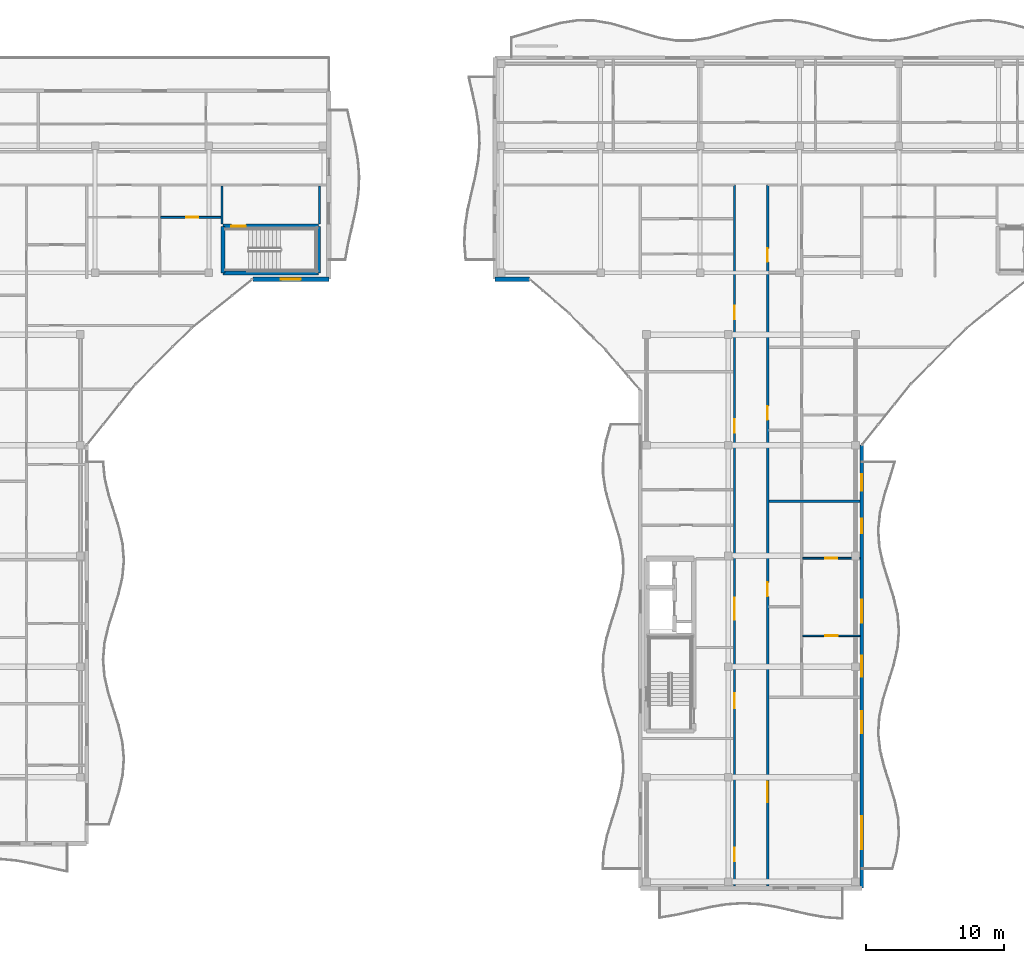
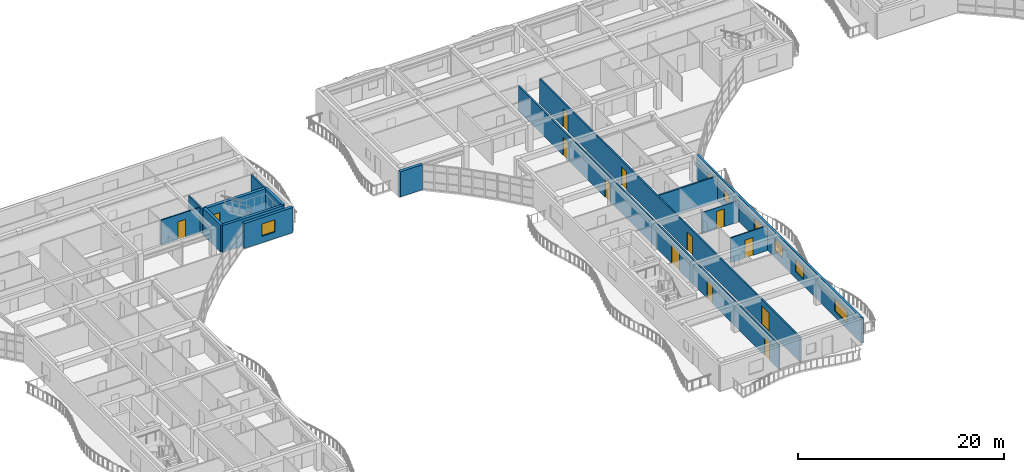
# One storey, part 37 of 68: 15 walls, 14 doors, 6 windows, 20 openings.
"""IFC4 building model written with IfcOpenShell, lengths in metres."""

from ifc_helpers import new_model, si_unit, direction, frame, frame_2d, origin, place, context, subcontext, project, spatial, rectangle, extrude, material, layer, layer_set, type_object, element, fill, save


model = new_model("IFC4")

# Units and contexts
model_context = context("Model", 3, precision=1e-05, world=origin(), true_north=direction((0.0, 1.0)))
body_context = subcontext(model_context, "Body", "Model", "MODEL_VIEW")
ifc_project = project(units=[si_unit("LENGTHUNIT", "METRE"), si_unit("AREAUNIT", "SQUARE_METRE"), si_unit("VOLUMEUNIT", "CUBIC_METRE"), si_unit("PLANEANGLEUNIT", "RADIAN"), si_unit("MASSUNIT", "GRAM", prefix="KILO")], contexts=[model_context])

# Site, building, storey
site_placement = place(None, origin())
site = spatial("IfcSite", under=ifc_project, at=site_placement, CompositionType="ELEMENT")
building_placement = place(site_placement, origin())
building = spatial("IfcBuilding", under=site, at=building_placement, Name="Keldmere Railside Commons", CompositionType="ELEMENT")
storey_placement = place(building_placement, frame((0.0, 0.0, 23.360107421875)))
storey = spatial("IfcBuildingStorey", under=building, at=storey_placement, Name="L07", CompositionType="ELEMENT", Elevation=23.360107421875)

# Wall
ifc_material_1 = material(Name="Acoustic Gypsum Board Partition", Category="gypsum")
ifc_layer_1 = layer(ifc_material_1, 0.179931640625, Name="Acoustic Demising Partition 180")
ifc_layer_set_1 = layer_set([ifc_layer_1], Name="Acoustic Gypsum Board Partition")
wall_type_1 = type_object("IfcWallType", Name="Acoustic Demising Partition 180", PredefinedType="PARTITIONING", material=ifc_layer_set_1)
wall_1_placement = place(storey_placement, frame((113.280029296875, 83.969970703125, 0.0), z_axis=(0.0, 0.0, 1.0), x_axis=(1.0, 0.0, 0.0)))
element("IfcWall", 1, at=wall_1_placement, inside=storey, type_object=wall_type_1, Name="IW-1 IW-L07-1197", PredefinedType="PARTITIONING", context=body_context, shape_type="SweptSolid", body=[
    extrude(rectangle(XDim=6.599853515625, YDim=0.179931640625, at=frame_2d((3.2998046875, 0.0))), origin(), (0.0, 0.0, 1.0), 2.934814453125),
])

# Wall, opening, door
ifc_layer_2 = layer(ifc_material_1, 0.1201171875, Name="Apartment Interior Partition 120")
ifc_layer_set_2 = layer_set([ifc_layer_2], Name="Acoustic Gypsum Board Partition")
wall_type_2 = type_object("IfcWallType", Name="Apartment Interior Partition 120", PredefinedType="PARTITIONING", material=ifc_layer_set_2)
wall_2_placement = place(storey_placement, frame((115.719970703125, 74.22998046875, 0.0), z_axis=(0.0, 0.0, 1.0), x_axis=(1.0, 0.0, 0.0)))
wall_2 = element("IfcWall", 2, at=wall_2_placement, inside=storey, type_object=wall_type_2, Name="IW-4 IW-L07-1201", PredefinedType="PARTITIONING", context=body_context, shape_type="SweptSolid", body=[
    extrude(rectangle(XDim=4.159912109375, YDim=0.1201171875, at=frame_2d((2.080078125, 0.0))), origin(), (0.0, 0.0, 1.0), 2.934814453125),
])
opening_1_placement = place(wall_2_placement, frame((1.6298828125, 0.0, 0.0)))
opening_1 = element("IfcOpeningElement", 3, at=opening_1_placement, cuts=wall_2, Name="Opening ID-01", PredefinedType="OPENING", context=body_context, shape_type="SweptSolid", body=[
    extrude(rectangle(XDim=0.89990234375, YDim=2.10009765625, at=frame_2d((0.449951171875, 1.050048828125))), frame((0.0, 0.070068359375, 0.0), z_axis=(0.0, -1.0, 0.0), x_axis=(1.0, 0.0, 0.0)), (0.0, 0.0, 1.0), 0.14013671875),
])
ifc_material_2 = material(Name="Engineered Oak Timber", Category="wood")
door_type_1 = type_object("IfcDoorType", Name="Primary Bedroom Door 900x2100", OperationType="NOTDEFINED", PredefinedType="DOOR", material=ifc_material_2)
door_1_placement = place(opening_1_placement, origin())
door_1 = element("IfcDoor", 4, at=door_1_placement, inside=storey, type_object=door_type_1, Name="ID-01 IDR-L07-1061", OperationType="SINGLE_SWING_LEFT", OverallHeight=2.10009765625, OverallWidth=0.89990234375, PredefinedType="DOOR", context=body_context, shape_type="SweptSolid", body=[
    extrude(rectangle(XDim=0.89990234375, YDim=2.10009765625, at=frame_2d((0.449951171875, 1.050048828125))), frame((0.0, 0.02490234375, 0.0), z_axis=(0.0, -1.0, 0.0), x_axis=(1.0, 0.0, 0.0)), (0.0, 0.0, 1.0), 0.050048828125),
])
fill(opening_1, door_1)

wall_3_placement = place(storey_placement, frame((115.719970703125, 79.830078125, 0.0), z_axis=(0.0, 0.0, 1.0), x_axis=(1.0, 0.0, 0.0)))
wall_3 = element("IfcWall", 5, at=wall_3_placement, inside=storey, type_object=wall_type_2, Name="IW-4 IW-L07-1202", PredefinedType="PARTITIONING", context=body_context, shape_type="SweptSolid", body=[
    extrude(rectangle(XDim=4.159912109375, YDim=0.1201171875, at=frame_2d((2.080078125, 0.0))), origin(), (0.0, 0.0, 1.0), 2.52978515625),
])
opening_2_placement = place(wall_3_placement, frame((1.639892578125, 0.0, 0.0)))
opening_2 = element("IfcOpeningElement", 6, at=opening_2_placement, cuts=wall_3, Name="Opening ID-02", PredefinedType="OPENING", context=body_context, shape_type="SweptSolid", body=[
    extrude(rectangle(XDim=0.8798828125, YDim=2.10009765625, at=frame_2d((0.43994140625, 1.050048828125))), frame((0.0, 0.070068359375, 0.0), z_axis=(0.0, -1.0, 0.0), x_axis=(1.0, 0.0, 0.0)), (0.0, 0.0, 1.0), 0.14013671875),
])
door_type_2 = type_object("IfcDoorType", Name="Secondary Bedroom Door 880x2100", OperationType="NOTDEFINED", PredefinedType="DOOR", material=ifc_material_2)
door_2_placement = place(opening_2_placement, origin())
door_2 = element("IfcDoor", 7, at=door_2_placement, inside=storey, type_object=door_type_2, Name="ID-02 IDR-L07-1062", OperationType="SINGLE_SWING_RIGHT", OverallHeight=2.10009765625, OverallWidth=0.8798828125, PredefinedType="DOOR", context=body_context, shape_type="SweptSolid", body=[
    extrude(rectangle(XDim=0.8798828125, YDim=2.10009765625, at=frame_2d((0.43994140625, 1.050048828125))), frame((0.0, 0.02490234375, 0.0), z_axis=(0.0, -1.0, 0.0), x_axis=(1.0, 0.0, 0.0)), (0.0, 0.0, 1.0), 0.050048828125),
])
fill(opening_2, door_2)

# Wall, openings, doors
ifc_layer_3 = layer(ifc_material_1, 0.159912109375, Name="Corridor Fire Partition 160")
ifc_layer_set_3 = layer_set([ifc_layer_3], Name="Acoustic Gypsum Board Partition")
wall_type_3 = type_object("IfcWallType", Name="Corridor Fire Partition 160", PredefinedType="PARTITIONING", material=ifc_layer_set_3)
wall_4_placement = place(storey_placement, frame((110.800048828125, 56.159912109375, 0.0), z_axis=(0.0, 0.0, 1.0), x_axis=(0.0, 1.0, 0.0)))
wall_4 = element("IfcWall", 8, at=wall_4_placement, inside=storey, type_object=wall_type_3, Name="IW-2 IW-L07-1187", PredefinedType="PARTITIONING", context=body_context, shape_type="SweptSolid", body=[
    extrude(rectangle(XDim=50.64013671875, YDim=0.159912109375, at=frame_2d((25.320068359375, 0.0))), origin(), (0.0, 0.0, 1.0), 2.934814453125),
])
opening_3_placement = place(wall_4_placement, frame((12.840087890625, 0.0, 0.0)))
opening_3 = element("IfcOpeningElement", 9, at=opening_3_placement, cuts=wall_4, Name="Opening FD-2", PredefinedType="OPENING", context=body_context, shape_type="SweptSolid", body=[
    extrude(rectangle(XDim=1.10009765625, YDim=2.14990234375, at=frame_2d((0.550048828125, 1.074951171875))), frame((0.0, 0.08984375, 0.0), z_axis=(0.0, -1.0, 0.0), x_axis=(1.0, 0.0, 0.0)), (0.0, 0.0, 1.0), 0.179931640625),
])
opening_4_placement = place(wall_4_placement, frame((19.239990234375, 0.0, 0.0)))
opening_4 = element("IfcOpeningElement", 10, at=opening_4_placement, cuts=wall_4, Name="Opening FD-4", PredefinedType="OPENING", context=body_context, shape_type="SweptSolid", body=[
    extrude(rectangle(XDim=1.60009765625, YDim=2.14990234375, at=frame_2d((0.800048828125, 1.074951171875))), frame((0.0, 0.08984375, 0.0), z_axis=(0.0, -1.0, 0.0), x_axis=(1.0, 0.0, 0.0)), (0.0, 0.0, 1.0), 0.179931640625),
])
opening_5_placement = place(wall_4_placement, frame((1.800048828125, 0.0, 0.0)))
opening_5 = element("IfcOpeningElement", 11, at=opening_5_placement, cuts=wall_4, Name="Opening ID-08", PredefinedType="OPENING", context=body_context, shape_type="SweptSolid", body=[
    extrude(rectangle(XDim=0.9599609375, YDim=2.14990234375, at=frame_2d((0.47998046875, 1.074951171875))), frame((0.0, 0.08984375, 0.0), z_axis=(0.0, -1.0, 0.0), x_axis=(1.0, 0.0, 0.0)), (0.0, 0.0, 1.0), 0.179931640625),
])
opening_6_placement = place(wall_4_placement, frame((32.7451171875, 0.0, 0.0)))
opening_6 = element("IfcOpeningElement", 12, at=opening_6_placement, cuts=wall_4, Name="Opening FD-7", PredefinedType="OPENING", context=body_context, shape_type="SweptSolid", body=[
    extrude(rectangle(XDim=0.97998046875, YDim=2.14990234375, at=frame_2d((0.489990234375, 1.074951171875))), frame((0.0, 0.08984375, 0.0), z_axis=(0.0, -1.0, 0.0), x_axis=(1.0, 0.0, 0.0)), (0.0, 0.0, 1.0), 0.179931640625),
])
opening_7_placement = place(wall_4_placement, frame((40.955078125, 0.0, 0.0)))
opening_7 = element("IfcOpeningElement", 13, at=opening_7_placement, cuts=wall_4, Name="Opening FD-7", PredefinedType="OPENING", context=body_context, shape_type="SweptSolid", body=[
    extrude(rectangle(XDim=0.97998046875, YDim=2.14990234375, at=frame_2d((0.489990234375, 1.074951171875))), frame((0.0, 0.08984375, 0.0), z_axis=(0.0, -1.0, 0.0), x_axis=(1.0, 0.0, 0.0)), (0.0, 0.0, 1.0), 0.179931640625),
])
door_type_3 = type_object("IfcDoorType", Name="Apartment Entrance Acoustic Fire Door 980x2150", OperationType="NOTDEFINED", PredefinedType="DOOR", material=ifc_material_2)
door_3_placement = place(opening_6_placement, origin())
door_3 = element("IfcDoor", 14, at=door_3_placement, inside=storey, type_object=door_type_3, Name="FD-7 IDR-L07-1093", OperationType="SINGLE_SWING_LEFT", OverallHeight=2.14990234375, OverallWidth=0.97998046875, PredefinedType="DOOR", context=body_context, shape_type="SweptSolid", body=[
    extrude(rectangle(XDim=0.97998046875, YDim=2.14990234375, at=frame_2d((0.489990234375, 1.074951171875))), frame((0.0, 0.02490234375, 0.0), z_axis=(0.0, -1.0, 0.0), x_axis=(1.0, 0.0, 0.0)), (0.0, 0.0, 1.0), 0.050048828125),
])
fill(opening_6, door_3)
door_4_placement = place(opening_7_placement, origin())
door_4 = element("IfcDoor", 15, at=door_4_placement, inside=storey, type_object=door_type_3, Name="FD-7 IDR-L07-1096", OperationType="SINGLE_SWING_RIGHT", OverallHeight=2.14990234375, OverallWidth=0.97998046875, PredefinedType="DOOR", context=body_context, shape_type="SweptSolid", body=[
    extrude(rectangle(XDim=0.97998046875, YDim=2.14990234375, at=frame_2d((0.489990234375, 1.074951171875))), frame((0.0, 0.02490234375, 0.0), z_axis=(0.0, -1.0, 0.0), x_axis=(1.0, 0.0, 0.0)), (0.0, 0.0, 1.0), 0.050048828125),
])
fill(opening_7, door_4)
ifc_material_3 = material(Name="Steel F-24 (S235)", Category="steel")
door_type_4 = type_object("IfcDoorType", Name="Corridor Cross-Compartment Double Fire Door 1600x2150", OperationType="DOUBLE_DOOR_SINGLE_SWING", PredefinedType="DOOR", material=ifc_material_3)
door_5_placement = place(opening_4_placement, origin())
door_5 = element("IfcDoor", 16, at=door_5_placement, inside=storey, type_object=door_type_4, Name="FD-4 IDR-L07-1056", OperationType="DOUBLE_DOOR_SINGLE_SWING", OverallHeight=2.14990234375, OverallWidth=1.60009765625, PredefinedType="DOOR", context=body_context, shape_type="SweptSolid", body=[
    extrude(rectangle(XDim=1.60009765625, YDim=2.14990234375, at=frame_2d((0.800048828125, 1.074951171875))), frame((0.0, 0.02490234375, 0.0), z_axis=(0.0, -1.0, 0.0), x_axis=(1.0, 0.0, 0.0)), (0.0, 0.0, 1.0), 0.050048828125),
])
fill(opening_4, door_5)
door_type_5 = type_object("IfcDoorType", Name="Firefighting Lobby Fire Door 1100x2150", OperationType="NOTDEFINED", PredefinedType="DOOR", material=ifc_material_3)
door_6_placement = place(opening_3_placement, origin())
door_6 = element("IfcDoor", 17, at=door_6_placement, inside=storey, type_object=door_type_5, Name="FD-2 IDR-L07-1055", OperationType="SINGLE_SWING_LEFT", OverallHeight=2.14990234375, OverallWidth=1.10009765625, PredefinedType="DOOR", context=body_context, shape_type="SweptSolid", body=[
    extrude(rectangle(XDim=1.10009765625, YDim=2.14990234375, at=frame_2d((0.550048828125, 1.074951171875))), frame((0.0, 0.02490234375, 0.0), z_axis=(0.0, -1.0, 0.0), x_axis=(1.0, 0.0, 0.0)), (0.0, 0.0, 1.0), 0.050048828125),
])
fill(opening_3, door_6)
door_type_6 = type_object("IfcDoorType", Name="Study & Meeting Room Door 960x2150", OperationType="NOTDEFINED", PredefinedType="DOOR", material=ifc_material_2)
door_7_placement = place(opening_5_placement, origin())
door_7 = element("IfcDoor", 18, at=door_7_placement, inside=storey, type_object=door_type_6, Name="ID-08 IDR-L07-1090", OperationType="SINGLE_SWING_RIGHT", OverallHeight=2.14990234375, OverallWidth=0.9599609375, PredefinedType="DOOR", context=body_context, shape_type="SweptSolid", body=[
    extrude(rectangle(XDim=0.9599609375, YDim=2.14990234375, at=frame_2d((0.47998046875, 1.074951171875))), frame((0.0, 0.02490234375, 0.0), z_axis=(0.0, -1.0, 0.0), x_axis=(1.0, 0.0, 0.0)), (0.0, 0.0, 1.0), 0.050048828125),
])
fill(opening_5, door_7)

wall_5_placement = place(storey_placement, frame((113.199951171875, 56.159912109375, 0.0), z_axis=(0.0, 0.0, 1.0), x_axis=(0.0, 1.0, 0.0)))
wall_5 = element("IfcWall", 19, at=wall_5_placement, inside=storey, type_object=wall_type_3, Name="IW-2 IW-L07-1188", PredefinedType="PARTITIONING", context=body_context, shape_type="SweptSolid", body=[
    extrude(rectangle(XDim=50.64013671875, YDim=0.159912109375, at=frame_2d((25.320068359375, 0.0))), origin(), (0.0, 0.0, 1.0), 2.934814453125),
])
opening_8_placement = place(wall_5_placement, frame((6.030029296875, 0.0, 0.0)))
opening_8 = element("IfcOpeningElement", 20, at=opening_8_placement, cuts=wall_5, Name="Opening ID-07", PredefinedType="OPENING", context=body_context, shape_type="SweptSolid", body=[
    extrude(rectangle(XDim=1.5, YDim=2.199951171875, at=frame_2d((0.75, 1.10009765625))), frame((0.0, 0.08984375, 0.0), z_axis=(0.0, -1.0, 0.0), x_axis=(1.0, 0.0, 0.0)), (0.0, 0.0, 1.0), 0.179931640625),
])
opening_9_placement = place(wall_5_placement, frame((20.919921875, 0.0, 0.0)))
opening_9 = element("IfcOpeningElement", 21, at=opening_9_placement, cuts=wall_5, Name="Opening FD-8", PredefinedType="OPENING", context=body_context, shape_type="SweptSolid", body=[
    extrude(rectangle(XDim=1.02001953125, YDim=2.14990234375, at=frame_2d((0.510009765625, 1.074951171875))), frame((0.0, 0.08984375, 0.0), z_axis=(0.0, -1.0, 0.0), x_axis=(1.0, 0.0, 0.0)), (0.0, 0.0, 1.0), 0.179931640625),
])
opening_10_placement = place(wall_5_placement, frame((33.679931640625, 0.0, 0.0)))
opening_10 = element("IfcOpeningElement", 22, at=opening_10_placement, cuts=wall_5, Name="Opening FD-7", PredefinedType="OPENING", context=body_context, shape_type="SweptSolid", body=[
    extrude(rectangle(XDim=0.97998046875, YDim=2.14990234375, at=frame_2d((0.489990234375, 1.074951171875))), frame((0.0, 0.08984375, 0.0), z_axis=(0.0, -1.0, 0.0), x_axis=(1.0, 0.0, 0.0)), (0.0, 0.0, 1.0), 0.179931640625),
])
opening_11_placement = place(wall_5_placement, frame((45.080078125, 0.0, 0.0)))
opening_11 = element("IfcOpeningElement", 23, at=opening_11_placement, cuts=wall_5, Name="Opening FD-7", PredefinedType="OPENING", context=body_context, shape_type="SweptSolid", body=[
    extrude(rectangle(XDim=0.97998046875, YDim=2.14990234375, at=frame_2d((0.489990234375, 1.074951171875))), frame((0.0, 0.08984375, 0.0), z_axis=(0.0, -1.0, 0.0), x_axis=(1.0, 0.0, 0.0)), (0.0, 0.0, 1.0), 0.179931640625),
])
door_type_7 = type_object("IfcDoorType", Name="Adaptable Apartment Entrance Fire Door 1020x2150", OperationType="NOTDEFINED", PredefinedType="DOOR", material=ifc_material_2)
door_8_placement = place(opening_9_placement, origin())
door_8 = element("IfcDoor", 24, at=door_8_placement, inside=storey, type_object=door_type_7, Name="FD-8 IDR-L07-1060", OperationType="SINGLE_SWING_RIGHT", OverallHeight=2.14990234375, OverallWidth=1.02001953125, PredefinedType="DOOR", context=body_context, shape_type="SweptSolid", body=[
    extrude(rectangle(XDim=1.02001953125, YDim=2.14990234375, at=frame_2d((0.510009765625, 1.074951171875))), frame((0.0, 0.02490234375, 0.0), z_axis=(0.0, -1.0, 0.0), x_axis=(1.0, 0.0, 0.0)), (0.0, 0.0, 1.0), 0.050048828125),
])
fill(opening_9, door_8)
door_9_placement = place(opening_10_placement, origin())
door_9 = element("IfcDoor", 25, at=door_9_placement, inside=storey, type_object=door_type_3, Name="FD-7 IDR-L07-1065", OperationType="SINGLE_SWING_LEFT", OverallHeight=2.14990234375, OverallWidth=0.97998046875, PredefinedType="DOOR", context=body_context, shape_type="SweptSolid", body=[
    extrude(rectangle(XDim=0.97998046875, YDim=2.14990234375, at=frame_2d((0.489990234375, 1.074951171875))), frame((0.0, 0.02490234375, 0.0), z_axis=(0.0, -1.0, 0.0), x_axis=(1.0, 0.0, 0.0)), (0.0, 0.0, 1.0), 0.050048828125),
])
fill(opening_10, door_9)
door_10_placement = place(opening_11_placement, origin())
door_10 = element("IfcDoor", 26, at=door_10_placement, inside=storey, type_object=door_type_3, Name="FD-7 IDR-L07-1069", OperationType="SINGLE_SWING_LEFT", OverallHeight=2.14990234375, OverallWidth=0.97998046875, PredefinedType="DOOR", context=body_context, shape_type="SweptSolid", body=[
    extrude(rectangle(XDim=0.97998046875, YDim=2.14990234375, at=frame_2d((0.489990234375, 1.074951171875))), frame((0.0, 0.02490234375, 0.0), z_axis=(0.0, -1.0, 0.0), x_axis=(1.0, 0.0, 0.0)), (0.0, 0.0, 1.0), 0.050048828125),
])
fill(opening_11, door_10)
door_type_8 = type_object("IfcDoorType", Name="Resident Lounge Double Door 1500x2200", OperationType="DOUBLE_DOOR_SINGLE_SWING", PredefinedType="DOOR", material=ifc_material_2)
door_11_placement = place(opening_8_placement, origin())
door_11 = element("IfcDoor", 27, at=door_11_placement, inside=storey, type_object=door_type_8, Name="ID-07 IDR-L07-1057", OperationType="DOUBLE_DOOR_SINGLE_SWING", OverallHeight=2.199951171875, OverallWidth=1.5, PredefinedType="DOOR", context=body_context, shape_type="SweptSolid", body=[
    extrude(rectangle(XDim=1.5, YDim=2.199951171875, at=frame_2d((0.75, 1.10009765625))), frame((0.0, 0.02490234375, 0.0), z_axis=(0.0, -1.0, 0.0), x_axis=(1.0, 0.0, 0.0)), (0.0, 0.0, 1.0), 0.050048828125),
])
fill(opening_8, door_11)

# Wall, opening, window
ifc_material_4 = material(Name="Concrete H-35 (C35/45)", Category="concrete")
ifc_layer_4 = layer(ifc_material_4, 0.320068359375, Name="Exterior Shear Wall 320")
ifc_layer_set_4 = layer_set([ifc_layer_4], Name="Concrete H-35 (C35/45)")
wall_type_4 = type_object("IfcWallType", Name="Exterior Shear Wall 320", PredefinedType="SHEAR", material=ifc_layer_set_4)
wall_6_placement = place(storey_placement, frame((81.5, 100.0, 0.0), z_axis=(0.0, 0.0, 1.0), x_axis=(-1.0, 0.0, 0.0)))
wall_6 = element("IfcWall", 28, at=wall_6_placement, inside=storey, type_object=wall_type_4, Name="ESW-2 EXTC-L07-0382", PredefinedType="SHEAR", context=body_context, shape_type="SweptSolid", body=[
    extrude(rectangle(XDim=5.5, YDim=0.320068359375, at=frame_2d((2.75, 0.0))), origin(), (0.0, 0.0, 1.0), 2.97998046875),
])
opening_12_placement = place(wall_6_placement, frame((2.02490234375, 0.0, 0.77001953125)))
opening_12 = element("IfcOpeningElement", 29, at=opening_12_placement, cuts=wall_6, Name="Opening WN-24", PredefinedType="OPENING", context=body_context, shape_type="SweptSolid", body=[
    extrude(rectangle(XDim=1.449951171875, YDim=1.449951171875, at=frame_2d((0.72509765625, 0.72509765625))), frame((0.0, 0.169921875, 0.0), z_axis=(0.0, -1.0, 0.0), x_axis=(1.0, 0.0, 0.0)), (0.0, 0.0, 1.0), 0.340087890625),
])
ifc_material_5 = material(Name="Low-E Insulated Double Glazing", Category="glass")
window_type_1 = type_object("IfcWindowType", Name="Setback Terrace Bedroom Window 1450x1450", PartitioningType="SINGLE_PANEL", PredefinedType="WINDOW", material=ifc_material_5)
window_1_placement = place(opening_12_placement, origin())
window_1 = element("IfcWindow", 30, at=window_1_placement, inside=storey, type_object=window_type_1, Name="WN-24 WIN-L07-0293", OverallHeight=1.449951171875, OverallWidth=1.449951171875, PartitioningType="SINGLE_PANEL", PredefinedType="WINDOW", context=body_context, shape_type="SweptSolid", body=[
    extrude(rectangle(XDim=1.449951171875, YDim=1.449951171875, at=frame_2d((0.72509765625, 0.72509765625))), frame((0.0, 0.030029296875, 0.0), z_axis=(0.0, -1.0, 0.0), x_axis=(1.0, 0.0, 0.0)), (0.0, 0.0, 1.0), 0.06005859375),
])
fill(opening_12, window_1)

# Walls
wall_7_placement = place(storey_placement, frame((96.0, 100.0, 0.0), z_axis=(0.0, 0.0, 1.0), x_axis=(-1.0, 0.0, 0.0)))
element("IfcWall", 31, at=wall_7_placement, inside=storey, type_object=wall_type_4, Name="ESW-2 EXTB-L07-0644", PredefinedType="SHEAR", context=body_context, shape_type="SweptSolid", body=[
    extrude(rectangle(XDim=2.5, YDim=0.320068359375, at=frame_2d((1.25, 0.0))), origin(), (0.0, 0.0, 1.0), 2.97998046875),
])
ifc_layer_5 = layer(ifc_material_4, 0.300048828125, Name="Interior Shear Wall 300")
ifc_layer_set_5 = layer_set([ifc_layer_5], Name="Concrete H-35 (C35/45)")
wall_type_5 = type_object("IfcWallType", Name="Interior Shear Wall 300", PredefinedType="SHEAR", material=ifc_layer_set_5)
wall_8_placement = place(storey_placement, frame((73.85009765625, 100.449951171875, 0.0), z_axis=(0.0, 0.0, 1.0), x_axis=(1.0, 0.0, 0.0)))
element("IfcWall", 32, at=wall_8_placement, inside=storey, type_object=wall_type_5, Name="ISW-2 COREC2S-L07-0290", PredefinedType="SHEAR", context=body_context, shape_type="SweptSolid", body=[
    extrude(rectangle(XDim=6.89990234375, YDim=0.300048828125, at=frame_2d((3.449951171875, 0.0))), origin(), (0.0, 0.0, 1.0), 3.199951171875),
])
for number, where, z_axis, x_axis, name in (
    (33, (73.85009765625, 103.820068359375, 0.0), (0.0, 0.0, 1.0), (0.0, -1.0, 0.0), "ISW-2 COREC2W-L07-0292"),
    (34, (80.75, 100.449951171875, 0.0), (0.0, 0.0, 1.0), (0.0, 1.0, 0.0), "ISW-2 COREC2E-L07-0293"),
):
    element("IfcWall", number, at=place(storey_placement, frame(where, z_axis=z_axis, x_axis=x_axis)), inside=storey, type_object=wall_type_5, Name=name, PredefinedType="SHEAR", context=body_context, shape_type="SweptSolid", body=[
        extrude(rectangle(XDim=3.3701171875, YDim=0.300048828125, at=frame_2d((1.68505859375, 0.0))), origin(), (0.0, 0.0, 1.0), 3.199951171875),
    ])

# Wall, opening, door
ifc_layer_6 = layer(ifc_material_4, 0.340087890625, Name="Interior Shear Wall 340")
ifc_layer_set_6 = layer_set([ifc_layer_6], Name="Concrete H-35 (C35/45)")
wall_type_6 = type_object("IfcWallType", Name="Interior Shear Wall 340", PredefinedType="SHEAR", material=ifc_layer_set_6)
wall_9_placement = place(storey_placement, frame((80.75, 103.820068359375, 0.0), z_axis=(0.0, 0.0, 1.0), x_axis=(-1.0, 0.0, 0.0)))
wall_9 = element("IfcWall", 35, at=wall_9_placement, inside=storey, type_object=wall_type_6, Name="ISW-1 COREC2N-L07-0291", PredefinedType="SHEAR", context=body_context, shape_type="SweptSolid", body=[
    extrude(rectangle(XDim=6.89990234375, YDim=0.340087890625, at=frame_2d((3.449951171875, 0.0))), origin(), (0.0, 0.0, 1.0), 3.199951171875),
])
opening_13_placement = place(wall_9_placement, frame((5.25, 0.0, 0.0)))
opening_13 = element("IfcOpeningElement", 36, at=opening_13_placement, cuts=wall_9, Name="Opening FD-1", PredefinedType="OPENING", context=body_context, shape_type="SweptSolid", body=[
    extrude(rectangle(XDim=1.050048828125, YDim=2.14990234375, at=frame_2d((0.52490234375, 1.074951171875))), frame((0.0, 0.179931640625, 0.0), z_axis=(0.0, -1.0, 0.0), x_axis=(1.0, 0.0, 0.0)), (0.0, 0.0, 1.0), 0.360107421875),
])
door_type_9 = type_object("IfcDoorType", Name="Stair Core Fire Door 1050x2150", OperationType="NOTDEFINED", PredefinedType="DOOR", material=ifc_material_3)
door_12_placement = place(opening_13_placement, origin())
door_12 = element("IfcDoor", 37, at=door_12_placement, inside=storey, type_object=door_type_9, Name="FD-1 C2 L07", OperationType="SINGLE_SWING_RIGHT", OverallHeight=2.14990234375, OverallWidth=1.050048828125, PredefinedType="DOOR", context=body_context, shape_type="SweptSolid", body=[
    extrude(rectangle(XDim=1.050048828125, YDim=2.14990234375, at=frame_2d((0.52490234375, 1.074951171875))), frame((0.0, 0.02490234375, 0.0), z_axis=(0.0, -1.0, 0.0), x_axis=(1.0, 0.0, 0.0)), (0.0, 0.0, 1.0), 0.050048828125),
])
fill(opening_13, door_12)

# Walls
ifc_layer_7 = layer(ifc_material_1, 0.14990234375, Name="Lobby Rated Partition 150")
ifc_layer_set_7 = layer_set([ifc_layer_7], Name="Acoustic Gypsum Board Partition")
wall_type_7 = type_object("IfcWallType", Name="Lobby Rated Partition 150", PredefinedType="PARTITIONING", material=ifc_layer_set_7)
for number, where, z_axis, x_axis, name in (
    (38, (73.780029296875, 103.989990234375, 0.0), (0.0, 0.0, 1.0), (0.0, 1.0, 0.0), "IW-3 IW-L07-0779"),
    (39, (80.820068359375, 103.989990234375, 0.0), (0.0, 0.0, 1.0), (0.0, 1.0, 0.0), "IW-3 IW-L07-0780"),
):
    element("IfcWall", number, at=place(storey_placement, frame(where, z_axis=z_axis, x_axis=x_axis)), inside=storey, type_object=wall_type_7, Name=name, PredefinedType="PARTITIONING", context=body_context, shape_type="SweptSolid", body=[
        extrude(rectangle(XDim=2.72998046875, YDim=0.14990234375, at=frame_2d((1.364990234375, 0.0))), origin(), (0.0, 0.0, 1.0), 2.934814453125),
    ])

# Wall, openings, windows, door
ifc_material_6 = material(Name="Architectural Precast Concrete H-35 (C35/45)", Category="concrete")
ifc_layer_8 = layer(ifc_material_6, 0.239990234375, Name="Sand-Ochre Precast Cavity Wall 240")
ifc_layer_set_8 = layer_set([ifc_layer_8], Name="Architectural Precast Concrete H-35 (C35/45)")
wall_type_8 = type_object("IfcWallType", Name="Sand-Ochre Precast Cavity Wall 240", PredefinedType="SOLIDWALL", material=ifc_layer_set_8)
wall_10_placement = place(storey_placement, frame((120.0, 88.0, 0.0), z_axis=(0.0, 0.0, 1.0), x_axis=(0.0, -1.0, 0.0)))
wall_10 = element("IfcWall", 40, at=wall_10_placement, inside=storey, type_object=wall_type_8, Name="EW-2 EXTB-L07-0639", PredefinedType="SOLIDWALL", context=body_context, shape_type="SweptSolid", body=[
    extrude(rectangle(XDim=32.0, YDim=0.239990234375, at=frame_2d((16.0, 0.0))), origin(), (0.0, 0.0, 1.0), 2.97998046875),
])
opening_14_placement = place(wall_10_placement, frame((2.10009765625, 0.0, 0.0)))
opening_14 = element("IfcOpeningElement", 41, at=opening_14_placement, cuts=wall_10, Name="Opening BD-01", PredefinedType="OPENING", context=body_context, shape_type="SweptSolid", body=[
    extrude(rectangle(XDim=1.199951171875, YDim=2.199951171875, at=frame_2d((0.60009765625, 1.10009765625))), frame((0.0, 0.1298828125, 0.0), z_axis=(0.0, -1.0, 0.0), x_axis=(1.0, 0.0, 0.0)), (0.0, 0.0, 1.0), 0.260009765625),
])
opening_15_placement = place(wall_10_placement, frame((5.300048828125, 0.0, 0.89990234375)))
opening_15 = element("IfcOpeningElement", 42, at=opening_15_placement, cuts=wall_10, Name="Opening WN-13", PredefinedType="OPENING", context=body_context, shape_type="SweptSolid", body=[
    extrude(rectangle(XDim=1.050048828125, YDim=1.14990234375, at=frame_2d((0.52490234375, 0.574951171875))), frame((0.0, 0.1298828125, 0.0), z_axis=(0.0, -1.0, 0.0), x_axis=(1.0, 0.0, 0.0)), (0.0, 0.0, 1.0), 0.260009765625),
])
opening_16_placement = place(wall_10_placement, frame((11.175048828125, 0.0, 0.77001953125)))
opening_16 = element("IfcOpeningElement", 43, at=opening_16_placement, cuts=wall_10, Name="Opening WN-03", PredefinedType="OPENING", context=body_context, shape_type="SweptSolid", body=[
    extrude(rectangle(XDim=1.64990234375, YDim=1.449951171875, at=frame_2d((0.824951171875, 0.72509765625))), frame((0.0, 0.1298828125, 0.0), z_axis=(0.0, -1.0, 0.0), x_axis=(1.0, 0.0, 0.0)), (0.0, 0.0, 1.0), 0.260009765625),
])
opening_17_placement = place(wall_10_placement, frame((19.199951171875, 0.0, 0.77001953125)))
opening_17 = element("IfcOpeningElement", 44, at=opening_17_placement, cuts=wall_10, Name="Opening WN-04", PredefinedType="OPENING", context=body_context, shape_type="SweptSolid", body=[
    extrude(rectangle(XDim=1.60009765625, YDim=1.449951171875, at=frame_2d((0.800048828125, 0.72509765625))), frame((0.0, 0.1298828125, 0.0), z_axis=(0.0, -1.0, 0.0), x_axis=(1.0, 0.0, 0.0)), (0.0, 0.0, 1.0), 0.260009765625),
])
opening_18_placement = place(wall_10_placement, frame((26.800048828125, 0.0, 0.719970703125)))
opening_18 = element("IfcOpeningElement", 45, at=opening_18_placement, cuts=wall_10, Name="Opening WN-05", PredefinedType="OPENING", context=body_context, shape_type="SweptSolid", body=[
    extrude(rectangle(XDim=2.39990234375, YDim=1.5, at=frame_2d((1.199951171875, 0.75))), frame((0.0, 0.1298828125, 0.0), z_axis=(0.0, -1.0, 0.0), x_axis=(1.0, 0.0, 0.0)), (0.0, 0.0, 1.0), 0.260009765625),
])
opening_19_placement = place(wall_10_placement, frame((15.2099609375, 0.0, 0.820068359375)))
opening_19 = element("IfcOpeningElement", 46, at=opening_19_placement, cuts=wall_10, Name="Opening WN-06", PredefinedType="OPENING", context=body_context, shape_type="SweptSolid", body=[
    extrude(rectangle(XDim=1.5, YDim=1.39990234375, at=frame_2d((0.75, 0.699951171875))), frame((0.0, 0.1298828125, 0.0), z_axis=(0.0, -1.0, 0.0), x_axis=(1.0, 0.0, 0.0)), (0.0, 0.0, 1.0), 0.260009765625),
])
window_type_2 = type_object("IfcWindowType", Name="Apartment Kitchen Casement Window 1050x1150", PartitioningType="SINGLE_PANEL", PredefinedType="WINDOW", material=ifc_material_5)
window_2_placement = place(opening_15_placement, origin())
window_2 = element("IfcWindow", 47, at=window_2_placement, inside=storey, type_object=window_type_2, Name="WN-13 WIN-L07-0476", OverallHeight=1.14990234375, OverallWidth=1.050048828125, PartitioningType="SINGLE_PANEL", PredefinedType="WINDOW", context=body_context, shape_type="SweptSolid", body=[
    extrude(rectangle(XDim=1.050048828125, YDim=1.14990234375, at=frame_2d((0.52490234375, 0.574951171875))), frame((0.0, 0.030029296875, 0.0), z_axis=(0.0, -1.0, 0.0), x_axis=(1.0, 0.0, 0.0)), (0.0, 0.0, 1.0), 0.06005859375),
])
fill(opening_15, window_2)
ifc_material_7 = material(Name="Thermally Broken Aluminium", Category="aluminium")
door_type_10 = type_object("IfcDoorType", Name="Apartment Living Wave-Balcony Glazed Door 1200x2200", OperationType="NOTDEFINED", PredefinedType="DOOR", material=ifc_material_7)
door_13_placement = place(opening_14_placement, origin())
door_13 = element("IfcDoor", 48, at=door_13_placement, inside=storey, type_object=door_type_10, Name="BD-01 DR-L07-0177", OperationType="SINGLE_SWING_LEFT", OverallHeight=2.199951171875, OverallWidth=1.199951171875, PredefinedType="DOOR", context=body_context, shape_type="SweptSolid", body=[
    extrude(rectangle(XDim=1.199951171875, YDim=2.199951171875, at=frame_2d((0.60009765625, 1.10009765625))), frame((0.0, 0.02490234375, 0.0), z_axis=(0.0, -1.0, 0.0), x_axis=(1.0, 0.0, 0.0)), (0.0, 0.0, 1.0), 0.050048828125),
])
fill(opening_14, door_13)
window_type_3 = type_object("IfcWindowType", Name="Corner Dual-Aspect Ribbon Window 2400x1500", PartitioningType="SINGLE_PANEL", PredefinedType="WINDOW", material=ifc_material_5)
window_3_placement = place(opening_18_placement, origin())
window_3 = element("IfcWindow", 49, at=window_3_placement, inside=storey, type_object=window_type_3, Name="WN-05 WIN-L07-0479", OverallHeight=1.5, OverallWidth=2.39990234375, PartitioningType="SINGLE_PANEL", PredefinedType="WINDOW", context=body_context, shape_type="SweptSolid", body=[
    extrude(rectangle(XDim=2.39990234375, YDim=1.5, at=frame_2d((1.199951171875, 0.75))), frame((0.0, 0.030029296875, 0.0), z_axis=(0.0, -1.0, 0.0), x_axis=(1.0, 0.0, 0.0)), (0.0, 0.0, 1.0), 0.06005859375),
])
fill(opening_18, window_3)
window_type_4 = type_object("IfcWindowType", Name="Living Room East Shaded Window 1650x1450", PartitioningType="SINGLE_PANEL", PredefinedType="WINDOW", material=ifc_material_5)
window_4_placement = place(opening_16_placement, origin())
window_4 = element("IfcWindow", 50, at=window_4_placement, inside=storey, type_object=window_type_4, Name="WN-03 WIN-L07-0477", OverallHeight=1.449951171875, OverallWidth=1.64990234375, PartitioningType="SINGLE_PANEL", PredefinedType="WINDOW", context=body_context, shape_type="SweptSolid", body=[
    extrude(rectangle(XDim=1.64990234375, YDim=1.449951171875, at=frame_2d((0.824951171875, 0.72509765625))), frame((0.0, 0.030029296875, 0.0), z_axis=(0.0, -1.0, 0.0), x_axis=(1.0, 0.0, 0.0)), (0.0, 0.0, 1.0), 0.06005859375),
])
fill(opening_16, window_4)
window_type_5 = type_object("IfcWindowType", Name="Living Room West Shaded Window 1600x1450", PartitioningType="SINGLE_PANEL", PredefinedType="WINDOW", material=ifc_material_5)
window_5_placement = place(opening_17_placement, origin())
window_5 = element("IfcWindow", 51, at=window_5_placement, inside=storey, type_object=window_type_5, Name="WN-04 WIN-L07-0478", OverallHeight=1.449951171875, OverallWidth=1.60009765625, PartitioningType="SINGLE_PANEL", PredefinedType="WINDOW", context=body_context, shape_type="SweptSolid", body=[
    extrude(rectangle(XDim=1.60009765625, YDim=1.449951171875, at=frame_2d((0.800048828125, 0.72509765625))), frame((0.0, 0.030029296875, 0.0), z_axis=(0.0, -1.0, 0.0), x_axis=(1.0, 0.0, 0.0)), (0.0, 0.0, 1.0), 0.06005859375),
])
fill(opening_17, window_5)
window_type_6 = type_object("IfcWindowType", Name="Primary Bedroom North Window 1500x1400", PartitioningType="SINGLE_PANEL", PredefinedType="WINDOW", material=ifc_material_5)
window_6_placement = place(opening_19_placement, origin())
window_6 = element("IfcWindow", 52, at=window_6_placement, inside=storey, type_object=window_type_6, Name="WN-06 WIN-L07-9062", OverallHeight=1.39990234375, OverallWidth=1.5, PartitioningType="SINGLE_PANEL", PredefinedType="WINDOW", context=body_context, shape_type="SweptSolid", body=[
    extrude(rectangle(XDim=1.5, YDim=1.39990234375, at=frame_2d((0.75, 0.699951171875))), frame((0.0, 0.030029296875, 0.0), z_axis=(0.0, -1.0, 0.0), x_axis=(1.0, 0.0, 0.0)), (0.0, 0.0, 1.0), 0.06005859375),
])
fill(opening_19, window_6)

# Wall, opening, door
ifc_layer_9 = layer(ifc_material_1, 0.139892578125, Name="Wet-Room Sanitary Partition 140")
ifc_layer_set_9 = layer_set([ifc_layer_9], Name="Acoustic Gypsum Board Partition")
wall_type_9 = type_object("IfcWallType", Name="Wet-Room Sanitary Partition 140", PredefinedType="PARTITIONING", material=ifc_layer_set_9)
wall_11_placement = place(storey_placement, frame((69.340087890625, 104.469970703125, 0.0), z_axis=(0.0, 0.0, 1.0), x_axis=(1.0, 0.0, 0.0)))
wall_11 = element("IfcWall", 53, at=wall_11_placement, inside=storey, type_object=wall_type_9, Name="IW-5 IW-L07-0805", PredefinedType="PARTITIONING", context=body_context, shape_type="SweptSolid", body=[
    extrude(rectangle(XDim=4.35986328125, YDim=0.139892578125, at=frame_2d((2.179931640625, 0.0))), origin(), (0.0, 0.0, 1.0), 2.934814453125),
])
opening_20_placement = place(wall_11_placement, frame((1.8564453125, 0.0, 0.0)))
opening_20 = element("IfcOpeningElement", 54, at=opening_20_placement, cuts=wall_11, Name="Opening ID-04", PredefinedType="OPENING", context=body_context, shape_type="SweptSolid", body=[
    extrude(rectangle(XDim=0.860107421875, YDim=2.10009765625, at=frame_2d((0.43017578125, 1.050048828125))), frame((0.0, 0.079833984375, 0.0), z_axis=(0.0, -1.0, 0.0), x_axis=(1.0, 0.0, 0.0)), (0.0, 0.0, 1.0), 0.159912109375),
])
door_type_11 = type_object("IfcDoorType", Name="Apartment Bathroom Door 860x2100", OperationType="NOTDEFINED", PredefinedType="DOOR", material=ifc_material_2)
door_14_placement = place(opening_20_placement, origin())
door_14 = element("IfcDoor", 55, at=door_14_placement, inside=storey, type_object=door_type_11, Name="ID-04 IDR-L07-0692", OperationType="SINGLE_SWING_RIGHT", OverallHeight=2.10009765625, OverallWidth=0.860107421875, PredefinedType="DOOR", context=body_context, shape_type="SweptSolid", body=[
    extrude(rectangle(XDim=0.860107421875, YDim=2.10009765625, at=frame_2d((0.43017578125, 1.050048828125))), frame((0.0, 0.02490234375, 0.0), z_axis=(0.0, -1.0, 0.0), x_axis=(1.0, 0.0, 0.0)), (0.0, 0.0, 1.0), 0.050048828125),
])
fill(opening_20, door_14)

save(model, "model.ifc")
